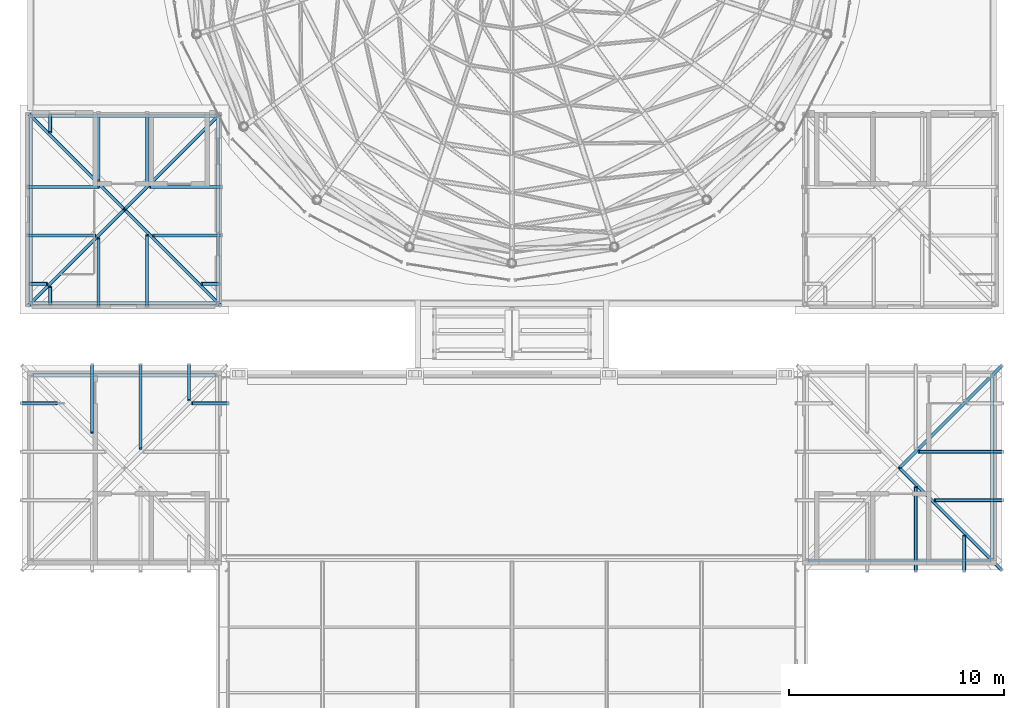
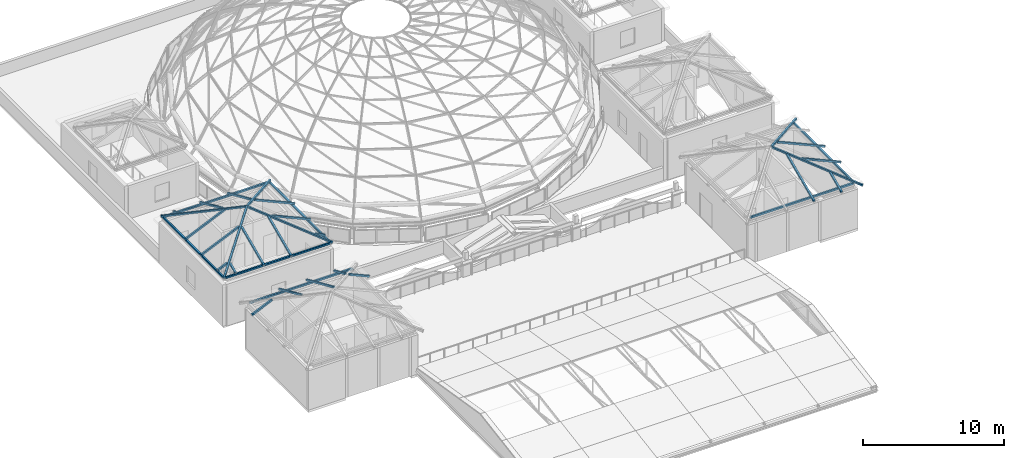
# One storey, part 13 of 69: 34 members.
"""IFC4 building model written with IfcOpenShell, lengths in metres."""

from ifc_helpers import new_model, si_unit, direction, frame, origin, origin_2d, place, context, subcontext, project, spatial, hollow_rectangle, extrude, material, material_profile, profile_set, type_object, element, save


model = new_model("IFC4")

# Units and contexts
model_context = context("Model", 3, precision=1e-05, world=origin(), true_north=direction((0.0, 1.0)))
body_context = subcontext(model_context, "Body", "Model", "MODEL_VIEW")
ifc_project = project(units=[si_unit("LENGTHUNIT", "METRE"), si_unit("AREAUNIT", "SQUARE_METRE"), si_unit("VOLUMEUNIT", "CUBIC_METRE"), si_unit("PLANEANGLEUNIT", "RADIAN"), si_unit("MASSUNIT", "GRAM", prefix="KILO")], contexts=[model_context])

# Site, building, storey
site_placement = place(None, origin())
site = spatial("IfcSite", under=ifc_project, at=site_placement, CompositionType="ELEMENT")
building_placement = place(site_placement, origin())
building = spatial("IfcBuilding", under=site, at=building_placement, Name="Kallimachos Central Library", CompositionType="ELEMENT")
storey_placement = place(building_placement, frame((0.0, 0.0, 23.39990234375)))
storey = spatial("IfcBuildingStorey", under=building, at=storey_placement, Name="L05", CompositionType="ELEMENT", Elevation=23.39990234375)

# Members
ifc_material_1 = material(Name="Steel S355J2H", Category="steel")
ifc_material_profile_1 = material_profile(ifc_material_1, hollow_rectangle(XDim=0.14990234375, YDim=0.14990234375, WallThickness=0.010009765625, InnerFilletRadius=0.010009765625, OuterFilletRadius=0.014892578125, at=origin_2d()), Name="SHS 150x150x10")
ifc_profile_set_1 = profile_set([ifc_material_profile_1], Name="Steel S355J2H")
member_type_1 = type_object("IfcMemberType", Name="SHS 150x150x10 eaves bearer", PredefinedType="STRINGER", material=ifc_profile_set_1)
for number, where, z_axis, x_axis, name in (
    (1, (65.77490234375, 83.800048828125, 3.875), (1.0, 0.0, 0.0), (0.0, 1.0, 0.0), "Head-house roof V4-NW eaves bearer N"),
    (2, (101.77490234375, 75.199951171875, 3.875), (1.0, 0.0, 0.0), (0.0, 1.0, 0.0), "Head-house roof V4-NE eaves bearer S"),
    (3, (110.300048828125, 75.27490234375, 3.875), (0.0, 1.0, 0.0), (-1.0, 0.0, 0.0), "Head-house roof V4-NE eaves bearer E"),
):
    element("IfcMember", number, at=place(storey_placement, frame(where, z_axis=z_axis, x_axis=x_axis)), inside=storey, type_object=member_type_1, Name=name, PredefinedType="STRINGER", context=body_context, shape_type="SweptSolid", body=[
        extrude(hollow_rectangle(XDim=0.14990234375, YDim=0.14990234375, WallThickness=0.010009765625, InnerFilletRadius=0.010009765625, OuterFilletRadius=0.014892578125, at=origin_2d()), origin(), (0.0, 0.0, 1.0), 8.4501953125),
    ])
for number, where, z_axis, x_axis, name in (
    (4, (65.72509765625, 87.14990234375, 4.025146484375), (1.0, 0.0, 0.0), (0.0, 1.0, 0.0), "Head-house roof V1-SW eaves bearer S"),
    (5, (65.72509765625, 95.85009765625, 4.025146484375), (1.0, 0.0, 0.0), (0.0, 1.0, 0.0), "Head-house roof V1-SW eaves bearer N"),
    (6, (65.64990234375, 87.22509765625, 4.025146484375), (0.0, 1.0, 0.0), (-1.0, 0.0, 0.0), "Head-house roof V1-SW eaves bearer W"),
    (7, (74.35009765625, 87.22509765625, 4.025146484375), (0.0, 1.0, 0.0), (-1.0, 0.0, 0.0), "Head-house roof V1-SW eaves bearer E"),
):
    element("IfcMember", number, at=place(storey_placement, frame(where, z_axis=z_axis, x_axis=x_axis)), inside=storey, type_object=member_type_1, Name=name, PredefinedType="STRINGER", context=body_context, shape_type="SweptSolid", body=[
        extrude(hollow_rectangle(XDim=0.14990234375, YDim=0.14990234375, WallThickness=0.010009765625, InnerFilletRadius=0.010009765625, OuterFilletRadius=0.014892578125, at=origin_2d()), origin(), (0.0, 0.0, 1.0), 8.5498046875),
    ])
ifc_material_2 = material(Name="Steel S355J2H", Category="steel")
ifc_material_profile_2 = material_profile(ifc_material_2, hollow_rectangle(XDim=0.14990234375, YDim=0.14990234375, WallThickness=0.010009765625, InnerFilletRadius=0.010009765625, OuterFilletRadius=0.014892578125, at=origin_2d()), Name="SHS 150x150x10")
ifc_profile_set_2 = profile_set([ifc_material_profile_2], Name="Steel S355J2H")
member_type_2 = type_object("IfcMemberType", Name="SHS 150x150x10 rafter", PredefinedType="RAFTER", material=ifc_profile_set_2)
member_1_placement = place(storey_placement, frame((68.5, 84.300048828125, 3.8095703125), z_axis=(0.0, -0.913546509307, 0.40673428099), x_axis=(1.0, 0.0, 0.0)))
element("IfcMember", 8, at=member_1_placement, inside=storey, type_object=member_type_2, Name="Head-house roof V4-NW rafter", PredefinedType="RAFTER", context=body_context, shape_type="SweptSolid", body=[
    extrude(hollow_rectangle(XDim=0.14990234375, YDim=0.14990234375, WallThickness=0.010009765625, InnerFilletRadius=0.010009765625, OuterFilletRadius=0.014892578125, at=origin_2d()), origin(), (0.0, 0.0, 1.0), 3.459228515625),
])
member_2_placement = place(storey_placement, frame((70.75, 84.300048828125, 3.8095703125), z_axis=(0.0, -0.913540850468, 0.406746990802), x_axis=(1.0, 0.0, 0.0)))
element("IfcMember", 9, at=member_2_placement, inside=storey, type_object=member_type_2, Name="Head-house roof V4-NW rafter", PredefinedType="RAFTER", context=body_context, shape_type="SweptSolid", body=[
    extrude(hollow_rectangle(XDim=0.14990234375, YDim=0.14990234375, WallThickness=0.010009765625, InnerFilletRadius=0.010009765625, OuterFilletRadius=0.014892578125, at=origin_2d()), origin(), (0.0, 0.0, 1.0), 4.2802734375),
])
for number, where, z_axis, x_axis, name in (
    (10, (73.0, 84.300048828125, 3.8095703125), (0.0, -0.913573164334, 0.406674407123), (1.0, 0.0, 0.0), "Head-house roof V4-NW rafter"),
    (11, (65.199951171875, 82.5, 3.8095703125), (0.913573164334, 0.0, 0.406674407123), (0.0, 1.0, 0.0), "Head-house roof V4-NW rafter"),
    (12, (74.800048828125, 82.5, 3.8095703125), (-0.913573164334, 0.0, 0.406674407123), (0.0, -1.0, 0.0), "Head-house roof V4-NW rafter"),
):
    element("IfcMember", number, at=place(storey_placement, frame(where, z_axis=z_axis, x_axis=x_axis)), inside=storey, type_object=member_type_2, Name=name, PredefinedType="RAFTER", context=body_context, shape_type="SweptSolid", body=[
        extrude(hollow_rectangle(XDim=0.14990234375, YDim=0.14990234375, WallThickness=0.010009765625, InnerFilletRadius=0.010009765625, OuterFilletRadius=0.014892578125, at=origin_2d()), origin(), (0.0, 0.0, 1.0), 1.817138671875),
    ])
member_3_placement = place(storey_placement, frame((106.75, 74.699951171875, 3.8095703125), z_axis=(0.0, 0.913540850468, 0.406746990802), x_axis=(-1.0, 0.0, 0.0)))
element("IfcMember", 13, at=member_3_placement, inside=storey, type_object=member_type_2, Name="Head-house roof V4-NE rafter", PredefinedType="RAFTER", context=body_context, shape_type="SweptSolid", body=[
    extrude(hollow_rectangle(XDim=0.14990234375, YDim=0.14990234375, WallThickness=0.010009765625, InnerFilletRadius=0.010009765625, OuterFilletRadius=0.014892578125, at=origin_2d()), origin(), (0.0, 0.0, 1.0), 4.2802734375),
])
member_4_placement = place(storey_placement, frame((109.0, 74.699951171875, 3.8095703125), z_axis=(0.0, 0.913573164334, 0.406674407123), x_axis=(-1.0, 0.0, 0.0)))
element("IfcMember", 14, at=member_4_placement, inside=storey, type_object=member_type_2, Name="Head-house roof V4-NE rafter", PredefinedType="RAFTER", context=body_context, shape_type="SweptSolid", body=[
    extrude(hollow_rectangle(XDim=0.14990234375, YDim=0.14990234375, WallThickness=0.010009765625, InnerFilletRadius=0.010009765625, OuterFilletRadius=0.014892578125, at=origin_2d()), origin(), (0.0, 0.0, 1.0), 1.817138671875),
])
member_5_placement = place(storey_placement, frame((110.800048828125, 78.0, 3.8095703125), z_axis=(-0.913546509307, 0.0, 0.40673428099), x_axis=(0.0, -1.0, 0.0)))
element("IfcMember", 15, at=member_5_placement, inside=storey, type_object=member_type_2, Name="Head-house roof V4-NE rafter", PredefinedType="RAFTER", context=body_context, shape_type="SweptSolid", body=[
    extrude(hollow_rectangle(XDim=0.14990234375, YDim=0.14990234375, WallThickness=0.010009765625, InnerFilletRadius=0.010009765625, OuterFilletRadius=0.014892578125, at=origin_2d()), origin(), (0.0, 0.0, 1.0), 3.459228515625),
])
member_6_placement = place(storey_placement, frame((110.800048828125, 80.25, 3.8095703125), z_axis=(-0.913540850468, 0.0, 0.406746990802), x_axis=(0.0, -1.0, 0.0)))
element("IfcMember", 16, at=member_6_placement, inside=storey, type_object=member_type_2, Name="Head-house roof V4-NE rafter", PredefinedType="RAFTER", context=body_context, shape_type="SweptSolid", body=[
    extrude(hollow_rectangle(XDim=0.14990234375, YDim=0.14990234375, WallThickness=0.010009765625, InnerFilletRadius=0.010009765625, OuterFilletRadius=0.014892578125, at=origin_2d()), origin(), (0.0, 0.0, 1.0), 4.2802734375),
])
member_7_placement = place(storey_placement, frame((66.550048828125, 87.10009765625, 4.159912109375), z_axis=(0.0, 0.913527399839, 0.406777199144), x_axis=(-1.0, 0.0, 0.0)))
element("IfcMember", 17, at=member_7_placement, inside=storey, type_object=member_type_2, Name="Head-house roof V1-SW rafter", PredefinedType="RAFTER", context=body_context, shape_type="SweptSolid", body=[
    extrude(hollow_rectangle(XDim=0.14990234375, YDim=0.14990234375, WallThickness=0.010009765625, InnerFilletRadius=0.010009765625, OuterFilletRadius=0.014892578125, at=origin_2d()), origin(), (0.0, 0.0, 1.0), 0.886474609375),
])
member_8_placement = place(storey_placement, frame((68.800048828125, 87.0, 4.115478515625), z_axis=(0.0, 0.913561058639, 0.406701600856), x_axis=(-1.0, 0.0, 0.0)))
element("IfcMember", 18, at=member_8_placement, inside=storey, type_object=member_type_2, Name="Head-house roof V1-SW rafter", PredefinedType="RAFTER", context=body_context, shape_type="SweptSolid", body=[
    extrude(hollow_rectangle(XDim=0.14990234375, YDim=0.14990234375, WallThickness=0.010009765625, InnerFilletRadius=0.010009765625, OuterFilletRadius=0.014892578125, at=origin_2d()), origin(), (0.0, 0.0, 1.0), 3.458984375),
])
member_9_placement = place(storey_placement, frame((71.050048828125, 87.0, 4.115478515625), z_axis=(0.0, 0.913555735439, 0.406713557981), x_axis=(-1.0, 0.0, 0.0)))
element("IfcMember", 19, at=member_9_placement, inside=storey, type_object=member_type_2, Name="Head-house roof V1-SW rafter", PredefinedType="RAFTER", context=body_context, shape_type="SweptSolid", body=[
    extrude(hollow_rectangle(XDim=0.14990234375, YDim=0.14990234375, WallThickness=0.010009765625, InnerFilletRadius=0.010009765625, OuterFilletRadius=0.014892578125, at=origin_2d()), origin(), (0.0, 0.0, 1.0), 3.623291015625),
])
member_10_placement = place(storey_placement, frame((66.550048828125, 95.89990234375, 4.159912109375), z_axis=(0.0, -0.913527399839, 0.406777199144), x_axis=(1.0, 0.0, 0.0)))
element("IfcMember", 20, at=member_10_placement, inside=storey, type_object=member_type_2, Name="Head-house roof V1-SW rafter", PredefinedType="RAFTER", context=body_context, shape_type="SweptSolid", body=[
    extrude(hollow_rectangle(XDim=0.14990234375, YDim=0.14990234375, WallThickness=0.010009765625, InnerFilletRadius=0.010009765625, OuterFilletRadius=0.014892578125, at=origin_2d()), origin(), (0.0, 0.0, 1.0), 0.886474609375),
])
member_11_placement = place(storey_placement, frame((68.800048828125, 96.0, 4.115478515625), z_axis=(0.0, -0.913561058639, 0.406701600856), x_axis=(1.0, 0.0, 0.0)))
element("IfcMember", 21, at=member_11_placement, inside=storey, type_object=member_type_2, Name="Head-house roof V1-SW rafter", PredefinedType="RAFTER", context=body_context, shape_type="SweptSolid", body=[
    extrude(hollow_rectangle(XDim=0.14990234375, YDim=0.14990234375, WallThickness=0.010009765625, InnerFilletRadius=0.010009765625, OuterFilletRadius=0.014892578125, at=origin_2d()), origin(), (0.0, 0.0, 1.0), 3.458984375),
])
member_12_placement = place(storey_placement, frame((71.050048828125, 96.0, 4.115478515625), z_axis=(0.0, -0.913555735439, 0.406713557981), x_axis=(1.0, 0.0, 0.0)))
element("IfcMember", 22, at=member_12_placement, inside=storey, type_object=member_type_2, Name="Head-house roof V1-SW rafter", PredefinedType="RAFTER", context=body_context, shape_type="SweptSolid", body=[
    extrude(hollow_rectangle(XDim=0.14990234375, YDim=0.14990234375, WallThickness=0.010009765625, InnerFilletRadius=0.010009765625, OuterFilletRadius=0.014892578125, at=origin_2d()), origin(), (0.0, 0.0, 1.0), 3.623291015625),
])
member_13_placement = place(storey_placement, frame((65.60009765625, 88.050048828125, 4.159912109375), z_axis=(0.913527399839, 0.0, 0.406777199144), x_axis=(0.0, 1.0, 0.0)))
element("IfcMember", 23, at=member_13_placement, inside=storey, type_object=member_type_2, Name="Head-house roof V1-SW rafter", PredefinedType="RAFTER", context=body_context, shape_type="SweptSolid", body=[
    extrude(hollow_rectangle(XDim=0.14990234375, YDim=0.14990234375, WallThickness=0.010009765625, InnerFilletRadius=0.010009765625, OuterFilletRadius=0.014892578125, at=origin_2d()), origin(), (0.0, 0.0, 1.0), 0.886474609375),
])
member_14_placement = place(storey_placement, frame((65.5, 90.300048828125, 4.115478515625), z_axis=(0.913561058639, 0.0, 0.406701600856), x_axis=(0.0, 1.0, 0.0)))
element("IfcMember", 24, at=member_14_placement, inside=storey, type_object=member_type_2, Name="Head-house roof V1-SW rafter", PredefinedType="RAFTER", context=body_context, shape_type="SweptSolid", body=[
    extrude(hollow_rectangle(XDim=0.14990234375, YDim=0.14990234375, WallThickness=0.010009765625, InnerFilletRadius=0.010009765625, OuterFilletRadius=0.014892578125, at=origin_2d()), origin(), (0.0, 0.0, 1.0), 3.458984375),
])
member_15_placement = place(storey_placement, frame((65.5, 92.550048828125, 4.115478515625), z_axis=(0.913555735439, 0.0, 0.406713557981), x_axis=(0.0, 1.0, 0.0)))
element("IfcMember", 25, at=member_15_placement, inside=storey, type_object=member_type_2, Name="Head-house roof V1-SW rafter", PredefinedType="RAFTER", context=body_context, shape_type="SweptSolid", body=[
    extrude(hollow_rectangle(XDim=0.14990234375, YDim=0.14990234375, WallThickness=0.010009765625, InnerFilletRadius=0.010009765625, OuterFilletRadius=0.014892578125, at=origin_2d()), origin(), (0.0, 0.0, 1.0), 3.623291015625),
])
member_16_placement = place(storey_placement, frame((74.39990234375, 88.050048828125, 4.159912109375), z_axis=(-0.913527399839, 0.0, 0.406777199144), x_axis=(0.0, -1.0, 0.0)))
element("IfcMember", 26, at=member_16_placement, inside=storey, type_object=member_type_2, Name="Head-house roof V1-SW rafter", PredefinedType="RAFTER", context=body_context, shape_type="SweptSolid", body=[
    extrude(hollow_rectangle(XDim=0.14990234375, YDim=0.14990234375, WallThickness=0.010009765625, InnerFilletRadius=0.010009765625, OuterFilletRadius=0.014892578125, at=origin_2d()), origin(), (0.0, 0.0, 1.0), 0.886474609375),
])
member_17_placement = place(storey_placement, frame((74.5, 90.300048828125, 4.115478515625), z_axis=(-0.913561058639, 0.0, 0.406701600856), x_axis=(0.0, -1.0, 0.0)))
element("IfcMember", 27, at=member_17_placement, inside=storey, type_object=member_type_2, Name="Head-house roof V1-SW rafter", PredefinedType="RAFTER", context=body_context, shape_type="SweptSolid", body=[
    extrude(hollow_rectangle(XDim=0.14990234375, YDim=0.14990234375, WallThickness=0.010009765625, InnerFilletRadius=0.010009765625, OuterFilletRadius=0.014892578125, at=origin_2d()), origin(), (0.0, 0.0, 1.0), 3.458984375),
])
member_18_placement = place(storey_placement, frame((74.5, 92.550048828125, 4.115478515625), z_axis=(-0.913555735439, 0.0, 0.406713557981), x_axis=(0.0, -1.0, 0.0)))
element("IfcMember", 28, at=member_18_placement, inside=storey, type_object=member_type_2, Name="Head-house roof V1-SW rafter", PredefinedType="RAFTER", context=body_context, shape_type="SweptSolid", body=[
    extrude(hollow_rectangle(XDim=0.14990234375, YDim=0.14990234375, WallThickness=0.010009765625, InnerFilletRadius=0.010009765625, OuterFilletRadius=0.014892578125, at=origin_2d()), origin(), (0.0, 0.0, 1.0), 3.623291015625),
])
ifc_material_3 = material(Name="Steel S355J2H", Category="steel")
ifc_material_profile_3 = material_profile(ifc_material_3, hollow_rectangle(XDim=0.14990234375, YDim=0.14990234375, WallThickness=0.010009765625, InnerFilletRadius=0.010009765625, OuterFilletRadius=0.014892578125, at=origin_2d()), Name="SHS 150x150x10")
ifc_profile_set_3 = profile_set([ifc_material_profile_3], Name="Steel S355J2H")
member_type_3 = type_object("IfcMemberType", Name="SHS 200x200x10 hip rafter", PredefinedType="RAFTER", material=ifc_profile_set_3)
for number, where, z_axis, x_axis, name in (
    (29, (110.75, 74.75, 3.78173828125), (-0.674474048899, 0.674474048899, 0.300282391631), (-0.707106781187, -0.707106781187, 0.0), "Head-house roof V4-NE hip"),
    (30, (110.75, 84.25, 3.78173828125), (-0.674474048899, -0.674474048899, 0.300282391631), (0.707106781187, -0.707106781187, 0.0), "Head-house roof V4-NE hip"),
):
    element("IfcMember", number, at=place(storey_placement, frame(where, z_axis=z_axis, x_axis=x_axis)), inside=storey, type_object=member_type_3, Name=name, PredefinedType="RAFTER", context=body_context, shape_type="SweptSolid", body=[
        extrude(hollow_rectangle(XDim=0.14990234375, YDim=0.14990234375, WallThickness=0.010009765625, InnerFilletRadius=0.010009765625, OuterFilletRadius=0.014892578125, at=origin_2d()), origin(), (0.0, 0.0, 1.0), 7.04248046875),
    ])
for number, where, z_axis, x_axis, name in (
    (31, (65.550048828125, 87.050048828125, 4.08740234375), (0.674472829332, 0.674472829332, 0.300287870194), (-0.707106781187, 0.707106781187, 0.0), "Head-house roof V1-SW hip"),
    (32, (74.449951171875, 87.050048828125, 4.08740234375), (-0.674472829332, 0.674472829332, 0.300287870194), (-0.707106781187, -0.707106781187, 0.0), "Head-house roof V1-SW hip"),
    (33, (65.550048828125, 95.949951171875, 4.08740234375), (0.674472829332, -0.674472829332, 0.300287870194), (0.707106781187, 0.707106781187, 0.0), "Head-house roof V1-SW hip"),
    (34, (74.449951171875, 95.949951171875, 4.08740234375), (-0.674472829332, -0.674472829332, 0.300287870194), (0.707106781187, -0.707106781187, 0.0), "Head-house roof V1-SW hip"),
):
    element("IfcMember", number, at=place(storey_placement, frame(where, z_axis=z_axis, x_axis=x_axis)), inside=storey, type_object=member_type_3, Name=name, PredefinedType="RAFTER", context=body_context, shape_type="SweptSolid", body=[
        extrude(hollow_rectangle(XDim=0.14990234375, YDim=0.14990234375, WallThickness=0.010009765625, InnerFilletRadius=0.010009765625, OuterFilletRadius=0.014892578125, at=origin_2d()), origin(), (0.0, 0.0, 1.0), 6.59765625),
    ])

save(model, "model.ifc")
